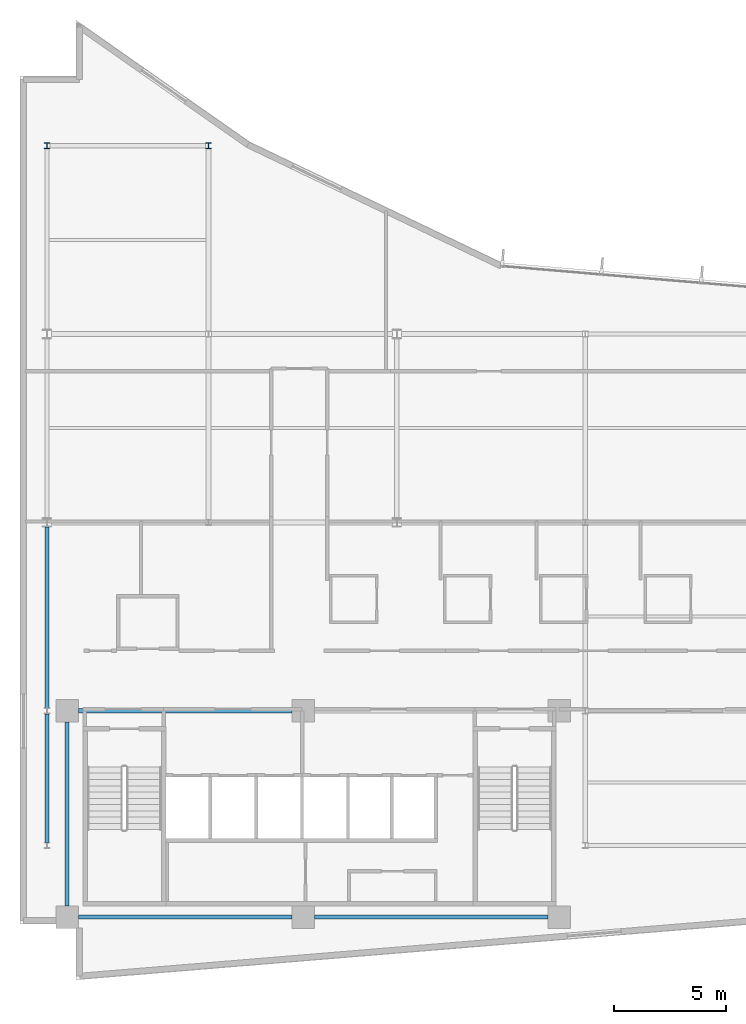
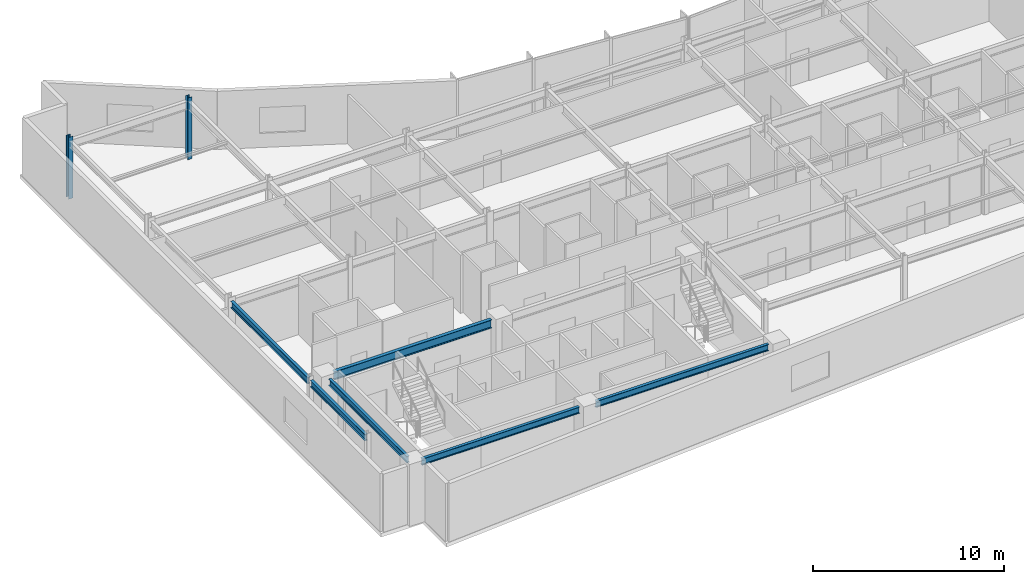
# One storey, part 3 of 15: 6 beams, 2 columns.
"""IFC4 building model written with IfcOpenShell, lengths in metres."""

from ifc_helpers import new_model, si_unit, direction, frame, origin, origin_2d, place, context, subcontext, project, spatial, i_section, extrude, material, material_profile, profile_set, type_object, element, save


model = new_model("IFC4")

# Units and contexts
model_context = context("Model", 3, precision=1e-05, world=origin(), true_north=direction((0.0, 1.0)))
body_context = subcontext(model_context, "Body", "Model", "MODEL_VIEW")
ifc_project = project(units=[si_unit("LENGTHUNIT", "METRE"), si_unit("AREAUNIT", "SQUARE_METRE"), si_unit("VOLUMEUNIT", "CUBIC_METRE"), si_unit("PLANEANGLEUNIT", "RADIAN"), si_unit("MASSUNIT", "GRAM", prefix="KILO")], contexts=[model_context])

# Site, building, storey
site_placement = place(None, origin())
site = spatial("IfcSite", under=ifc_project, at=site_placement, CompositionType="ELEMENT")
building_placement = place(site_placement, origin())
building = spatial("IfcBuilding", under=site, at=building_placement, Name="Varnakote Quay Hospital", CompositionType="ELEMENT")
storey_placement = place(building_placement, frame((0.0, 0.0, 196.050048828125)))
storey = spatial("IfcBuildingStorey", under=building, at=storey_placement, Name="L48", CompositionType="ELEMENT", Elevation=196.050048828125)

# Columns
ifc_material_1 = material(Name="Structural steel AS/NZS 3679.1 Grade 350 L0 (fy 340 MPa)", Category="steel")
ifc_material_profile_1 = material_profile(ifc_material_1, i_section(OverallWidth=0.256103515625, OverallDepth=0.260009765625, WebThickness=0.010498046875, FlangeThickness=0.017333984375, FilletRadius=0.0126953125, at=origin_2d()), Name="250UC89.5")
ifc_profile_set_1 = profile_set([ifc_material_profile_1], Name="Structural steel AS/NZS 3679.1 Grade 350 L0 (fy 340 MPa)")
column_type = type_object("IfcColumnType", Name="COL-STL-250UC89-5", PredefinedType="COLUMN", material=ifc_profile_set_1)
for number, where, z_axis, x_axis, name in (
    (1, (1.199951171875, 37.199951171875, 0.0), (0.0, 0.0, 1.0), (1.0, 0.0, 0.0), "L48 Structural Column C-1-37"),
    (2, (8.39990234375, 37.199951171875, 0.0), (0.0, 0.0, 1.0), (1.0, 0.0, 0.0), "L48 Structural Column C-8-37"),
):
    element("IfcColumn", number, at=place(storey_placement, frame(where, z_axis=z_axis, x_axis=x_axis)), inside=storey, type_object=column_type, Name=name, PredefinedType="COLUMN", context=body_context, shape_type="SweptSolid", body=[
        extrude(i_section(OverallWidth=0.256103515625, OverallDepth=0.260009765625, WebThickness=0.010498046875, FlangeThickness=0.017333984375, FilletRadius=0.0126953125, at=origin_2d()), origin(), (0.0, 0.0, 1.0), 3.949951171875),
    ])

# Beams
ifc_material_2 = material(Name="Structural steel AS/NZS 3679.1 Grade 350 L0 (fy 340 MPa)", Category="steel")
ifc_material_profile_2 = material_profile(ifc_material_2, i_section(OverallWidth=0.208984375, OverallDepth=0.532958984375, WebThickness=0.01025390625, FlangeThickness=0.015625, FilletRadius=0.013916015625, at=origin_2d()), Name="530UB92.4")
ifc_profile_set_2 = profile_set([ifc_material_profile_2], Name="Structural steel AS/NZS 3679.1 Grade 350 L0 (fy 340 MPa)")
beam_type_1 = type_object("IfcBeamType", Name="BM-STL-530UB92-4", PredefinedType="BEAM", material=ifc_profile_set_2)
beam_1_placement = place(storey_placement, frame((2.60009765625, 12.0, 3.443359375), z_axis=(1.0, 0.0, 0.0), x_axis=(0.0, 1.0, 0.0)))
element("IfcBeam", 3, at=beam_1_placement, inside=storey, type_object=beam_type_1, Name="L48 Primary Floor Beam", PredefinedType="BEAM", context=body_context, shape_type="SweptSolid", body=[
    extrude(i_section(OverallWidth=0.208984375, OverallDepth=0.532958984375, WebThickness=0.01025390625, FlangeThickness=0.015625, FilletRadius=0.013916015625, at=origin_2d()), origin(), (0.0, 0.0, 1.0), 9.52001953125),
])
ifc_material_3 = material(Name="Structural steel AS/NZS 3679.1 Grade 350 L0 (fy 340 MPa)", Category="steel")
ifc_material_profile_3 = material_profile(ifc_material_3, i_section(OverallWidth=0.177978515625, OverallDepth=0.403076171875, WebThickness=0.007568359375, FlangeThickness=0.010986328125, FilletRadius=0.011474609375, at=origin_2d()), Name="410UB53.7")
ifc_profile_set_3 = profile_set([ifc_material_profile_3], Name="Structural steel AS/NZS 3679.1 Grade 350 L0 (fy 340 MPa)")
beam_type_2 = type_object("IfcBeamType", Name="SPN-STL-410UB53-7", PredefinedType="SPANDREL", material=ifc_profile_set_3)
beam_2_placement = place(storey_placement, frame((1.199951171875, 6.1298828125, 3.508544921875), z_axis=(0.0, 1.0, 0.0), x_axis=(-1.0, 0.0, 0.0)))
element("IfcBeam", 4, at=beam_2_placement, inside=storey, type_object=beam_type_2, Name="L48 Perimeter Spandrel Beam", PredefinedType="SPANDREL", context=body_context, shape_type="SweptSolid", body=[
    extrude(i_section(OverallWidth=0.177978515625, OverallDepth=0.403076171875, WebThickness=0.007568359375, FlangeThickness=0.010986328125, FilletRadius=0.011474609375, at=origin_2d()), origin(), (0.0, 0.0, 1.0), 5.740234375),
])
beam_3_placement = place(storey_placement, frame((1.199951171875, 12.1298828125, 3.508544921875), z_axis=(0.0, 1.0, 0.0), x_axis=(-1.0, 0.0, 0.0)))
element("IfcBeam", 5, at=beam_3_placement, inside=storey, type_object=beam_type_2, Name="L48 Perimeter Spandrel Beam", PredefinedType="SPANDREL", context=body_context, shape_type="SweptSolid", body=[
    extrude(i_section(OverallWidth=0.177978515625, OverallDepth=0.403076171875, WebThickness=0.007568359375, FlangeThickness=0.010986328125, FilletRadius=0.011474609375, at=origin_2d()), origin(), (0.0, 0.0, 1.0), 8.068115234375),
])
beam_4_placement = place(storey_placement, frame((2.10009765625, 3.300048828125, 3.508544921875), z_axis=(0.0, 1.0, 0.0), x_axis=(-1.0, 0.0, 0.0)))
element("IfcBeam", 6, at=beam_4_placement, inside=storey, type_object=beam_type_2, Name="L48 Perimeter Spandrel Beam", PredefinedType="SPANDREL", context=body_context, shape_type="SweptSolid", body=[
    extrude(i_section(OverallWidth=0.177978515625, OverallDepth=0.403076171875, WebThickness=0.007568359375, FlangeThickness=0.010986328125, FilletRadius=0.011474609375, at=origin_2d()), origin(), (0.0, 0.0, 1.0), 8.199951171875),
])
ifc_material_4 = material(Name="Structural steel AS/NZS 3679.1 Grade 350 L0 (fy 340 MPa)", Category="steel")
ifc_material_profile_4 = material_profile(ifc_material_4, i_section(OverallWidth=0.177978515625, OverallDepth=0.406005859375, WebThickness=0.0078125, FlangeThickness=0.0126953125, FilletRadius=0.011474609375, at=origin_2d()), Name="410UB59.7")
ifc_profile_set_4 = profile_set([ifc_material_profile_4], Name="Structural steel AS/NZS 3679.1 Grade 350 L0 (fy 340 MPa)")
beam_type_3 = type_object("IfcBeamType", Name="SPN-STL-410UB59-7", PredefinedType="SPANDREL", material=ifc_profile_set_4)
beam_5_placement = place(storey_placement, frame((2.60009765625, 2.800048828125, 3.5068359375), z_axis=(1.0, 0.0, 0.0), x_axis=(0.0, 1.0, 0.0)))
element("IfcBeam", 7, at=beam_5_placement, inside=storey, type_object=beam_type_3, Name="L48 Perimeter Spandrel Beam", PredefinedType="SPANDREL", context=body_context, shape_type="SweptSolid", body=[
    extrude(i_section(OverallWidth=0.177978515625, OverallDepth=0.406005859375, WebThickness=0.0078125, FlangeThickness=0.0126953125, FilletRadius=0.011474609375, at=origin_2d()), origin(), (0.0, 0.0, 1.0), 9.52001953125),
])
beam_6_placement = place(storey_placement, frame((13.1201171875, 2.800048828125, 3.5068359375), z_axis=(1.0, 0.0, 0.0), x_axis=(0.0, 1.0, 0.0)))
element("IfcBeam", 8, at=beam_6_placement, inside=storey, type_object=beam_type_3, Name="L48 Perimeter Spandrel Beam", PredefinedType="SPANDREL", context=body_context, shape_type="SweptSolid", body=[
    extrude(i_section(OverallWidth=0.177978515625, OverallDepth=0.406005859375, WebThickness=0.0078125, FlangeThickness=0.0126953125, FilletRadius=0.011474609375, at=origin_2d()), origin(), (0.0, 0.0, 1.0), 10.429931640625),
])

save(model, "model.ifc")
